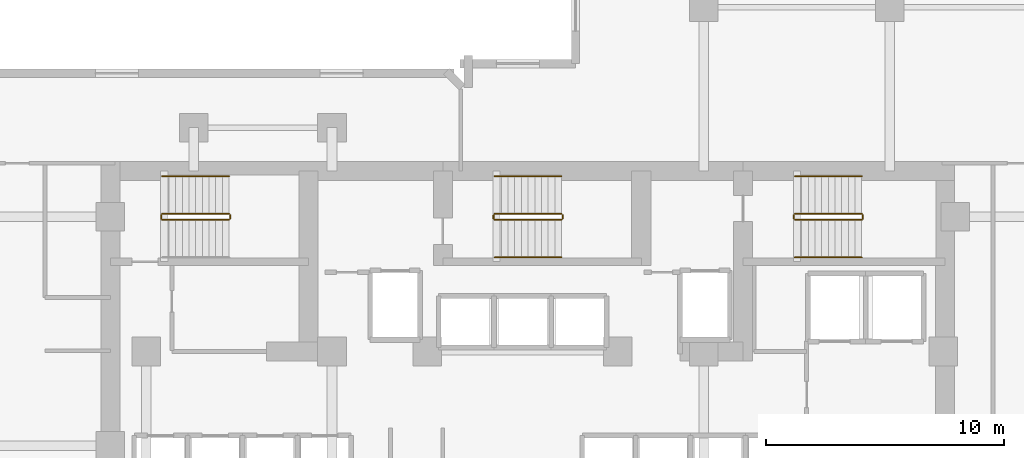
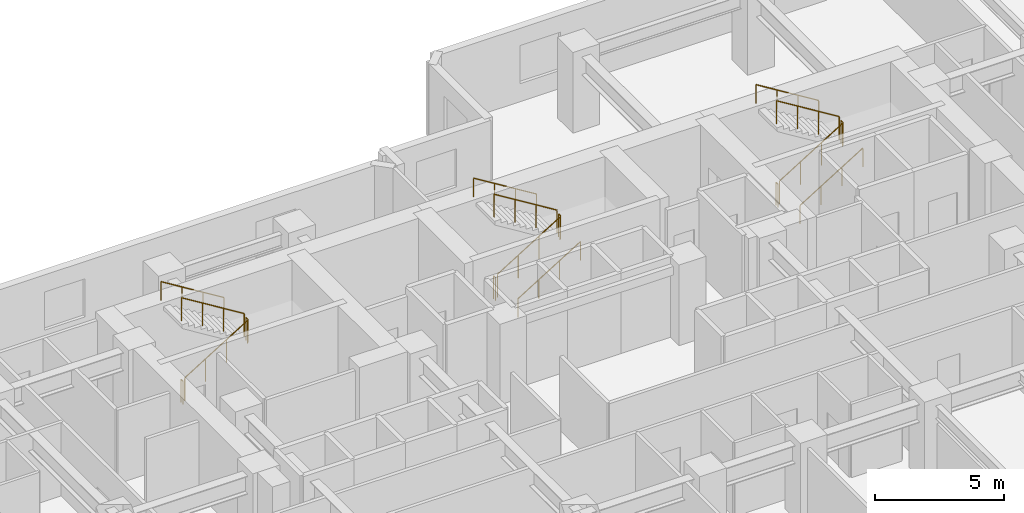
# One storey, part 11 of 11: 17 railings.
"""IFC4 building model written with IfcOpenShell, lengths in metres."""

from ifc_helpers import new_model, si_unit, direction, frame, origin, origin_2d, place, context, subcontext, project, spatial, circle, extrude, material, type_object, element, save


model = new_model("IFC4")

# Units and contexts
model_context = context("Model", 3, precision=1e-05, world=origin(), true_north=direction((0.0, 1.0)))
body_context = subcontext(model_context, "Body", "Model", "MODEL_VIEW")
ifc_project = project(units=[si_unit("LENGTHUNIT", "METRE"), si_unit("AREAUNIT", "SQUARE_METRE"), si_unit("VOLUMEUNIT", "CUBIC_METRE"), si_unit("PLANEANGLEUNIT", "RADIAN"), si_unit("MASSUNIT", "GRAM", prefix="KILO")], contexts=[model_context])

# Site, building, storey
site_placement = place(None, origin())
site = spatial("IfcSite", under=ifc_project, at=site_placement, CompositionType="ELEMENT")
building_placement = place(site_placement, origin())
building = spatial("IfcBuilding", under=site, at=building_placement, Name="Kestravale Grand Hotel", CompositionType="ELEMENT")
storey_placement = place(building_placement, frame((0.0, 0.0, 126.0)))
storey = spatial("IfcBuildingStorey", under=building, at=storey_placement, Name="L31", CompositionType="ELEMENT", Elevation=126.0)

# Railings
ifc_material_1 = material(Name="Painted tubular steel stair well guard", Category="steel")
railing_type_1 = type_object("IfcRailingType", Name="RL-ST-GRD1100", PredefinedType="GUARDRAIL", material=ifc_material_1)
railing_1_placement = place(storey_placement, frame((24.080078125, 38.280029296875, 0.172607421875)))
element("IfcRailing", 1, at=railing_1_placement, inside=storey, type_object=railing_type_1, Name="L31 ST-1 stair guard 1", PredefinedType="GUARDRAIL", context=body_context, shape_type="SweptSolid", body=[
    extrude(circle(Radius=0.02392578125, at=origin_2d()), frame((0.0, 0.0, 1.076171875), z_axis=(0.851069175582, 0.0, 0.525053576669), x_axis=(0.0, 1.0, 0.0)), (0.0, 0.0, 1.0), 3.289794921875),
    extrude(circle(Radius=0.02099609375, at=origin_2d()), origin(), (0.0, 0.0, 1.0), 1.052001953125),
    extrude(circle(Radius=0.02099609375, at=origin_2d()), frame((0.933349609375, 0.0, 0.57568359375)), (0.0, 0.0, 1.0), 1.052001953125),
    extrude(circle(Radius=0.02099609375, at=origin_2d()), frame((1.866455078125, 0.0, 1.151611328125)), (0.0, 0.0, 1.0), 1.052001953125),
    extrude(circle(Radius=0.02099609375, at=origin_2d()), frame((2.7998046875, 0.0, 1.727294921875)), (0.0, 0.0, 1.0), 1.052001953125),
])
railing_2_placement = place(storey_placement, frame((26.929931640625, 38.330078125, 1.89990234375)))
element("IfcRailing", 2, at=railing_2_placement, inside=storey, type_object=railing_type_1, Name="L31 ST-1 stair guard 2", PredefinedType="GUARDRAIL", context=body_context, shape_type="SweptSolid", body=[
    extrude(circle(Radius=0.02392578125, at=origin_2d()), frame((0.0, 0.0, 1.076171875), z_axis=(0.0, 1.0, 0.0), x_axis=(-1.0, 0.0, 0.0)), (0.0, 0.0, 1.0), 0.14990234375),
    extrude(circle(Radius=0.02099609375, at=origin_2d()), origin(), (0.0, 0.0, 1.0), 1.052001953125),
    extrude(circle(Radius=0.02099609375, at=origin_2d()), frame((0.0, 0.14990234375, 0.0)), (0.0, 0.0, 1.0), 1.052001953125),
])
railing_3_placement = place(storey_placement, frame((26.8798828125, 38.530029296875, 2.07275390625)))
element("IfcRailing", 3, at=railing_3_placement, inside=storey, type_object=railing_type_1, Name="L31 ST-1 stair guard 3", PredefinedType="GUARDRAIL", context=body_context, shape_type="SweptSolid", body=[
    extrude(circle(Radius=0.02392578125, at=origin_2d()), frame((0.0, 0.0, 1.076171875), z_axis=(-0.851069175582, 0.0, 0.525053576669), x_axis=(0.0, -1.0, 0.0)), (0.0, 0.0, 1.0), 3.289794921875),
    extrude(circle(Radius=0.02099609375, at=origin_2d()), origin(), (0.0, 0.0, 1.0), 1.052001953125),
    extrude(circle(Radius=0.02099609375, at=origin_2d()), frame((-0.933349609375, 0.0, 0.57568359375)), (0.0, 0.0, 1.0), 1.052001953125),
    extrude(circle(Radius=0.02099609375, at=origin_2d()), frame((-1.866455078125, 0.0, 1.151611328125)), (0.0, 0.0, 1.0), 1.052001953125),
    extrude(circle(Radius=0.02099609375, at=origin_2d()), frame((-2.7998046875, 0.0, 1.727294921875)), (0.0, 0.0, 1.0), 1.052001953125),
])
railing_4_placement = place(storey_placement, frame((24.030029296875, 38.330078125, 0.0)))
element("IfcRailing", 4, at=railing_4_placement, inside=storey, type_object=railing_type_1, Name="L31 ST-1 stair guard 4", PredefinedType="GUARDRAIL", context=body_context, shape_type="SweptSolid", body=[
    extrude(circle(Radius=0.02392578125, at=origin_2d()), frame((0.0, 0.0, 1.076171875), z_axis=(0.0, 1.0, 0.0), x_axis=(-1.0, 0.0, 0.0)), (0.0, 0.0, 1.0), 0.14990234375),
    extrude(circle(Radius=0.02099609375, at=origin_2d()), origin(), (0.0, 0.0, 1.0), 1.052001953125),
    extrude(circle(Radius=0.02099609375, at=origin_2d()), frame((0.0, 0.14990234375, 0.0)), (0.0, 0.0, 1.0), 1.052001953125),
])
railing_5_placement = place(storey_placement, frame((38.030029296875, 38.280029296875, 0.172607421875)))
element("IfcRailing", 5, at=railing_5_placement, inside=storey, type_object=railing_type_1, Name="L31 ST-2 stair guard 1", PredefinedType="GUARDRAIL", context=body_context, shape_type="SweptSolid", body=[
    extrude(circle(Radius=0.02392578125, at=origin_2d()), frame((0.0, 0.0, 1.076171875), z_axis=(0.851089632645, 0.0, 0.525020415988), x_axis=(0.0, 1.0, 0.0)), (0.0, 0.0, 1.0), 3.2900390625),
    extrude(circle(Radius=0.02099609375, at=origin_2d()), origin(), (0.0, 0.0, 1.0), 1.052001953125),
    extrude(circle(Radius=0.02099609375, at=origin_2d()), frame((0.933349609375, 0.0, 0.57568359375)), (0.0, 0.0, 1.0), 1.052001953125),
    extrude(circle(Radius=0.02099609375, at=origin_2d()), frame((1.86669921875, 0.0, 1.151611328125)), (0.0, 0.0, 1.0), 1.052001953125),
    extrude(circle(Radius=0.02099609375, at=origin_2d()), frame((2.800048828125, 0.0, 1.727294921875)), (0.0, 0.0, 1.0), 1.052001953125),
])
railing_6_placement = place(storey_placement, frame((40.8798828125, 38.330078125, 1.89990234375)))
element("IfcRailing", 6, at=railing_6_placement, inside=storey, type_object=railing_type_1, Name="L31 ST-2 stair guard 2", PredefinedType="GUARDRAIL", context=body_context, shape_type="SweptSolid", body=[
    extrude(circle(Radius=0.02392578125, at=origin_2d()), frame((0.0, 0.0, 1.076171875), z_axis=(0.0, 1.0, 0.0), x_axis=(-1.0, 0.0, 0.0)), (0.0, 0.0, 1.0), 0.14990234375),
    extrude(circle(Radius=0.02099609375, at=origin_2d()), origin(), (0.0, 0.0, 1.0), 1.052001953125),
    extrude(circle(Radius=0.02099609375, at=origin_2d()), frame((0.0, 0.14990234375, 0.0)), (0.0, 0.0, 1.0), 1.052001953125),
])
railing_7_placement = place(storey_placement, frame((40.830078125, 38.530029296875, 2.07275390625)))
element("IfcRailing", 7, at=railing_7_placement, inside=storey, type_object=railing_type_1, Name="L31 ST-2 stair guard 3", PredefinedType="GUARDRAIL", context=body_context, shape_type="SweptSolid", body=[
    extrude(circle(Radius=0.02392578125, at=origin_2d()), frame((0.0, 0.0, 1.076171875), z_axis=(-0.851089632645, 0.0, 0.525020415988), x_axis=(0.0, -1.0, 0.0)), (0.0, 0.0, 1.0), 3.2900390625),
    extrude(circle(Radius=0.02099609375, at=origin_2d()), origin(), (0.0, 0.0, 1.0), 1.052001953125),
    extrude(circle(Radius=0.02099609375, at=origin_2d()), frame((-0.933349609375, 0.0, 0.57568359375)), (0.0, 0.0, 1.0), 1.052001953125),
    extrude(circle(Radius=0.02099609375, at=origin_2d()), frame((-1.86669921875, 0.0, 1.151611328125)), (0.0, 0.0, 1.0), 1.052001953125),
    extrude(circle(Radius=0.02099609375, at=origin_2d()), frame((-2.800048828125, 0.0, 1.727294921875)), (0.0, 0.0, 1.0), 1.052001953125),
])
railing_8_placement = place(storey_placement, frame((37.97998046875, 38.330078125, 0.0)))
element("IfcRailing", 8, at=railing_8_placement, inside=storey, type_object=railing_type_1, Name="L31 ST-2 stair guard 4", PredefinedType="GUARDRAIL", context=body_context, shape_type="SweptSolid", body=[
    extrude(circle(Radius=0.02392578125, at=origin_2d()), frame((0.0, 0.0, 1.076171875), z_axis=(0.0, 1.0, 0.0), x_axis=(-1.0, 0.0, 0.0)), (0.0, 0.0, 1.0), 0.14990234375),
    extrude(circle(Radius=0.02099609375, at=origin_2d()), origin(), (0.0, 0.0, 1.0), 1.052001953125),
    extrude(circle(Radius=0.02099609375, at=origin_2d()), frame((0.0, 0.14990234375, 0.0)), (0.0, 0.0, 1.0), 1.052001953125),
])
railing_9_placement = place(storey_placement, frame((50.6298828125, 38.280029296875, 0.172607421875)))
element("IfcRailing", 9, at=railing_9_placement, inside=storey, type_object=railing_type_1, Name="L31 ST-3 stair guard 1", PredefinedType="GUARDRAIL", context=body_context, shape_type="SweptSolid", body=[
    extrude(circle(Radius=0.02392578125, at=origin_2d()), frame((0.0, 0.0, 1.076171875), z_axis=(0.851089632645, 0.0, 0.525020415988), x_axis=(0.0, 1.0, 0.0)), (0.0, 0.0, 1.0), 3.2900390625),
    extrude(circle(Radius=0.02099609375, at=origin_2d()), origin(), (0.0, 0.0, 1.0), 1.052001953125),
    extrude(circle(Radius=0.02099609375, at=origin_2d()), frame((0.933349609375, 0.0, 0.57568359375)), (0.0, 0.0, 1.0), 1.052001953125),
    extrude(circle(Radius=0.02099609375, at=origin_2d()), frame((1.86669921875, 0.0, 1.151611328125)), (0.0, 0.0, 1.0), 1.052001953125),
    extrude(circle(Radius=0.02099609375, at=origin_2d()), frame((2.800048828125, 0.0, 1.727294921875)), (0.0, 0.0, 1.0), 1.052001953125),
])
railing_10_placement = place(storey_placement, frame((53.47998046875, 38.330078125, 1.89990234375)))
element("IfcRailing", 10, at=railing_10_placement, inside=storey, type_object=railing_type_1, Name="L31 ST-3 stair guard 2", PredefinedType="GUARDRAIL", context=body_context, shape_type="SweptSolid", body=[
    extrude(circle(Radius=0.02392578125, at=origin_2d()), frame((0.0, 0.0, 1.076171875), z_axis=(0.0, 1.0, 0.0), x_axis=(-1.0, 0.0, 0.0)), (0.0, 0.0, 1.0), 0.14990234375),
    extrude(circle(Radius=0.02099609375, at=origin_2d()), origin(), (0.0, 0.0, 1.0), 1.052001953125),
    extrude(circle(Radius=0.02099609375, at=origin_2d()), frame((0.0, 0.14990234375, 0.0)), (0.0, 0.0, 1.0), 1.052001953125),
])
railing_11_placement = place(storey_placement, frame((53.429931640625, 38.530029296875, 2.07275390625)))
element("IfcRailing", 11, at=railing_11_placement, inside=storey, type_object=railing_type_1, Name="L31 ST-3 stair guard 3", PredefinedType="GUARDRAIL", context=body_context, shape_type="SweptSolid", body=[
    extrude(circle(Radius=0.02392578125, at=origin_2d()), frame((0.0, 0.0, 1.076171875), z_axis=(-0.851089632645, 0.0, 0.525020415988), x_axis=(0.0, -1.0, 0.0)), (0.0, 0.0, 1.0), 3.2900390625),
    extrude(circle(Radius=0.02099609375, at=origin_2d()), origin(), (0.0, 0.0, 1.0), 1.052001953125),
    extrude(circle(Radius=0.02099609375, at=origin_2d()), frame((-0.933349609375, 0.0, 0.57568359375)), (0.0, 0.0, 1.0), 1.052001953125),
    extrude(circle(Radius=0.02099609375, at=origin_2d()), frame((-1.86669921875, 0.0, 1.151611328125)), (0.0, 0.0, 1.0), 1.052001953125),
    extrude(circle(Radius=0.02099609375, at=origin_2d()), frame((-2.800048828125, 0.0, 1.727294921875)), (0.0, 0.0, 1.0), 1.052001953125),
])
railing_12_placement = place(storey_placement, frame((50.580078125, 38.330078125, 0.0)))
element("IfcRailing", 12, at=railing_12_placement, inside=storey, type_object=railing_type_1, Name="L31 ST-3 stair guard 4", PredefinedType="GUARDRAIL", context=body_context, shape_type="SweptSolid", body=[
    extrude(circle(Radius=0.02392578125, at=origin_2d()), frame((0.0, 0.0, 1.076171875), z_axis=(0.0, 1.0, 0.0), x_axis=(-1.0, 0.0, 0.0)), (0.0, 0.0, 1.0), 0.14990234375),
    extrude(circle(Radius=0.02099609375, at=origin_2d()), origin(), (0.0, 0.0, 1.0), 1.052001953125),
    extrude(circle(Radius=0.02099609375, at=origin_2d()), frame((0.0, 0.14990234375, 0.0)), (0.0, 0.0, 1.0), 1.052001953125),
])
ifc_material_2 = material(Name="Brushed stainless steel wall handrail", Category="steel")
railing_type_2 = type_object("IfcRailingType", Name="RL-ST-HND900", PredefinedType="HANDRAIL", material=ifc_material_2)
railing_13_placement = place(storey_placement, frame((26.8798828125, 40.110107421875, 2.07275390625)))
element("IfcRailing", 13, at=railing_13_placement, inside=storey, type_object=railing_type_2, Name="L31 ST-1 stair handrail 2", PredefinedType="HANDRAIL", context=body_context, shape_type="SweptSolid", body=[
    extrude(circle(Radius=0.02392578125, at=origin_2d()), frame((0.0, 0.0, 0.8759765625), z_axis=(-0.851069175582, 0.0, 0.525053576669), x_axis=(0.0, -1.0, 0.0)), (0.0, 0.0, 1.0), 3.289794921875),
    extrude(circle(Radius=0.02099609375, at=origin_2d()), origin(), (0.0, 0.0, 1.0), 0.851806640625),
    extrude(circle(Radius=0.02099609375, at=origin_2d()), frame((-0.933349609375, 0.0, 0.57568359375)), (0.0, 0.0, 1.0), 0.851806640625),
    extrude(circle(Radius=0.02099609375, at=origin_2d()), frame((-1.866455078125, 0.0, 1.151611328125)), (0.0, 0.0, 1.0), 0.851806640625),
    extrude(circle(Radius=0.02099609375, at=origin_2d()), frame((-2.7998046875, 0.0, 1.727294921875)), (0.0, 0.0, 1.0), 0.851806640625),
])
railing_14_placement = place(storey_placement, frame((38.030029296875, 36.699951171875, 0.172607421875)))
element("IfcRailing", 14, at=railing_14_placement, inside=storey, type_object=railing_type_2, Name="L31 ST-2 stair handrail 1", PredefinedType="HANDRAIL", context=body_context, shape_type="SweptSolid", body=[
    extrude(circle(Radius=0.02392578125, at=origin_2d()), frame((0.0, 0.0, 0.8759765625), z_axis=(0.851089632645, 0.0, 0.525020415988), x_axis=(0.0, 1.0, 0.0)), (0.0, 0.0, 1.0), 3.2900390625),
    extrude(circle(Radius=0.02099609375, at=origin_2d()), origin(), (0.0, 0.0, 1.0), 0.851806640625),
    extrude(circle(Radius=0.02099609375, at=origin_2d()), frame((0.933349609375, 0.0, 0.57568359375)), (0.0, 0.0, 1.0), 0.851806640625),
    extrude(circle(Radius=0.02099609375, at=origin_2d()), frame((1.86669921875, 0.0, 1.151611328125)), (0.0, 0.0, 1.0), 0.851806640625),
    extrude(circle(Radius=0.02099609375, at=origin_2d()), frame((2.800048828125, 0.0, 1.727294921875)), (0.0, 0.0, 1.0), 0.851806640625),
])
railing_15_placement = place(storey_placement, frame((40.830078125, 40.110107421875, 2.07275390625)))
element("IfcRailing", 15, at=railing_15_placement, inside=storey, type_object=railing_type_2, Name="L31 ST-2 stair handrail 2", PredefinedType="HANDRAIL", context=body_context, shape_type="SweptSolid", body=[
    extrude(circle(Radius=0.02392578125, at=origin_2d()), frame((0.0, 0.0, 0.8759765625), z_axis=(-0.851089632645, 0.0, 0.525020415988), x_axis=(0.0, -1.0, 0.0)), (0.0, 0.0, 1.0), 3.2900390625),
    extrude(circle(Radius=0.02099609375, at=origin_2d()), origin(), (0.0, 0.0, 1.0), 0.851806640625),
    extrude(circle(Radius=0.02099609375, at=origin_2d()), frame((-0.933349609375, 0.0, 0.57568359375)), (0.0, 0.0, 1.0), 0.851806640625),
    extrude(circle(Radius=0.02099609375, at=origin_2d()), frame((-1.86669921875, 0.0, 1.151611328125)), (0.0, 0.0, 1.0), 0.851806640625),
    extrude(circle(Radius=0.02099609375, at=origin_2d()), frame((-2.800048828125, 0.0, 1.727294921875)), (0.0, 0.0, 1.0), 0.851806640625),
])
railing_16_placement = place(storey_placement, frame((50.6298828125, 36.699951171875, 0.172607421875)))
element("IfcRailing", 16, at=railing_16_placement, inside=storey, type_object=railing_type_2, Name="L31 ST-3 stair handrail 1", PredefinedType="HANDRAIL", context=body_context, shape_type="SweptSolid", body=[
    extrude(circle(Radius=0.02392578125, at=origin_2d()), frame((0.0, 0.0, 0.8759765625), z_axis=(0.851089632645, 0.0, 0.525020415988), x_axis=(0.0, 1.0, 0.0)), (0.0, 0.0, 1.0), 3.2900390625),
    extrude(circle(Radius=0.02099609375, at=origin_2d()), origin(), (0.0, 0.0, 1.0), 0.851806640625),
    extrude(circle(Radius=0.02099609375, at=origin_2d()), frame((0.933349609375, 0.0, 0.57568359375)), (0.0, 0.0, 1.0), 0.851806640625),
    extrude(circle(Radius=0.02099609375, at=origin_2d()), frame((1.86669921875, 0.0, 1.151611328125)), (0.0, 0.0, 1.0), 0.851806640625),
    extrude(circle(Radius=0.02099609375, at=origin_2d()), frame((2.800048828125, 0.0, 1.727294921875)), (0.0, 0.0, 1.0), 0.851806640625),
])
railing_17_placement = place(storey_placement, frame((53.429931640625, 40.110107421875, 2.07275390625)))
element("IfcRailing", 17, at=railing_17_placement, inside=storey, type_object=railing_type_2, Name="L31 ST-3 stair handrail 2", PredefinedType="HANDRAIL", context=body_context, shape_type="SweptSolid", body=[
    extrude(circle(Radius=0.02392578125, at=origin_2d()), frame((0.0, 0.0, 0.8759765625), z_axis=(-0.851089632645, 0.0, 0.525020415988), x_axis=(0.0, -1.0, 0.0)), (0.0, 0.0, 1.0), 3.2900390625),
    extrude(circle(Radius=0.02099609375, at=origin_2d()), origin(), (0.0, 0.0, 1.0), 0.851806640625),
    extrude(circle(Radius=0.02099609375, at=origin_2d()), frame((-0.933349609375, 0.0, 0.57568359375)), (0.0, 0.0, 1.0), 0.851806640625),
    extrude(circle(Radius=0.02099609375, at=origin_2d()), frame((-1.86669921875, 0.0, 1.151611328125)), (0.0, 0.0, 1.0), 0.851806640625),
    extrude(circle(Radius=0.02099609375, at=origin_2d()), frame((-2.800048828125, 0.0, 1.727294921875)), (0.0, 0.0, 1.0), 0.851806640625),
])

save(model, "model.ifc")
